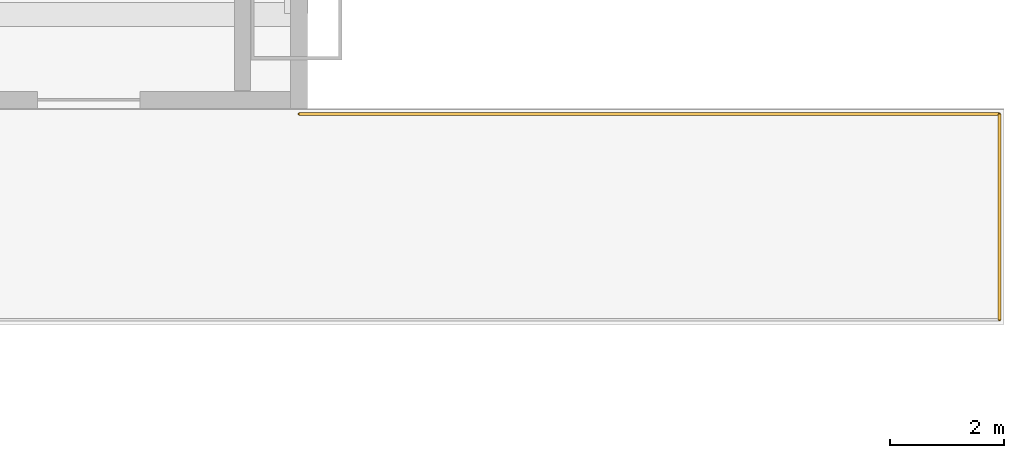
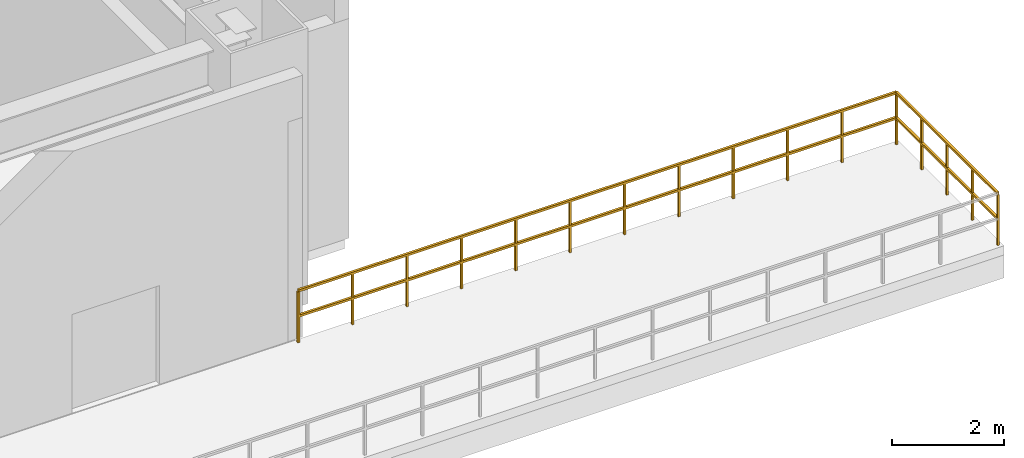
# One storey, part 16 of 17: 2 railings.
"""IFC4 building model written with IfcOpenShell, lengths in metres."""

import ifcopenshell
import ifcopenshell.guid

model = None  # the IFC model being written
_history = None  # IfcOwnerHistory: only IFC2X3 demands one
_inside = {}  # id of a spatial element -> (the spatial element, [elements in it])
_under = {}  # id of a project, library or spatial element -> (it, [spatial elements below it])
_declared = {}  # id of a project -> (the project, [libraries it declares])
_typed = {}  # id of a type object -> (the type object, [elements of that type])
_made_of = {}  # id of a material, layer set ... -> (it, [elements and type objects made of it])


def new_model(schema):
    """Start an empty IFC model of exactly this schema.

    Asked for "IFC4X3", IfcOpenShell would pick the latest addendum, in which some entities
    have other attributes; the version numbers below select the first issue.
    IFC2X3 requires an IfcOwnerHistory on every rooted entity: one is made here for all.
    """
    global model, _history
    if schema == "IFC4X3":
        model = ifcopenshell.file(schema_version=(4, 3, 0, 0))
    else:
        model = ifcopenshell.file(schema=schema)
    _inside.clear()
    _under.clear()
    _declared.clear()
    _typed.clear()
    _made_of.clear()
    _history = None
    if model.schema == "IFC2X3":
        org = make("IfcOrganization", Name="unknown")
        user = make(
            "IfcPersonAndOrganization",
            ThePerson=make("IfcPerson", FamilyName="unknown"),
            TheOrganization=org,
        )
        app = make(
            "IfcApplication",
            ApplicationDeveloper=org,
            Version="unknown",
            ApplicationFullName="unknown",
            ApplicationIdentifier="unknown",
        )
        _history = make(
            "IfcOwnerHistory",
            OwningUser=user,
            OwningApplication=app,
            ChangeAction="ADDED",
            CreationDate=0,
        )
    return model


def make(cls, **values):
    """One entity of the class cls with the attributes given. An attribute that is None is left unset."""
    return model.create_entity(
        cls, **{name: value for name, value in values.items() if value is not None}
    )


def rooted(cls, **values):
    """An entity with a GlobalId (a new one), such as an element, a storey or a relation."""
    return make(cls, GlobalId=ifcopenshell.guid.new(), OwnerHistory=_history, **values)


def si_unit(unit_type, name, prefix=None):
    """IfcSIUnit, for example si_unit("LENGTHUNIT", "METRE", prefix="MILLI")."""
    return make("IfcSIUnit", UnitType=unit_type, Prefix=prefix, Name=name)


def assignment(units):
    """IfcUnitAssignment: the units of a project."""
    return None if units is None else make("IfcUnitAssignment", Units=units)


def point(xyz):
    """IfcCartesianPoint."""
    return None if xyz is None else make("IfcCartesianPoint", Coordinates=xyz)


def direction(xyz):
    """IfcDirection."""
    return None if xyz is None else make("IfcDirection", DirectionRatios=xyz)


def frame(location, z_axis=None, x_axis=None):
    """IfcAxis2Placement3D, a coordinate frame: its origin and axes. An axis left out is left unset."""
    return make(
        "IfcAxis2Placement3D",
        Location=point(location),
        Axis=direction(z_axis),
        RefDirection=direction(x_axis),
    )


def frame_2d(location, x_axis=None):
    """IfcAxis2Placement2D, a coordinate frame in the plane: its origin and x axis."""
    return make(
        "IfcAxis2Placement2D", Location=point(location), RefDirection=direction(x_axis)
    )


def origin():
    """The frame at (0, 0, 0) with its axes left unset."""
    return frame((0.0, 0.0, 0.0))


def origin_2d():
    """The frame at (0, 0) in the plane with its x axis left unset."""
    return frame_2d((0.0, 0.0))


def place(relative_to, where):
    """IfcLocalPlacement: puts the frame where relative to a parent placement (None: the world)."""
    return make(
        "IfcLocalPlacement", PlacementRelTo=relative_to, RelativePlacement=where
    )


def context(
    kind, dimensions, precision=None, world=None, true_north=None, identifier=None
):
    """IfcGeometricRepresentationContext, for example the 3D "Model" context."""
    return make(
        "IfcGeometricRepresentationContext",
        ContextIdentifier=identifier,
        ContextType=kind,
        CoordinateSpaceDimension=dimensions,
        Precision=precision,
        WorldCoordinateSystem=world,
        TrueNorth=true_north,
    )


def subcontext(parent, identifier, kind, view, scale=None):
    """IfcGeometricRepresentationSubContext, for example "Body" below "Model"."""
    return make(
        "IfcGeometricRepresentationSubContext",
        ContextIdentifier=identifier,
        ContextType=kind,
        ParentContext=parent,
        TargetScale=scale,
        TargetView=view,
    )


def project(units=None, contexts=None):
    """IfcProject with its units and contexts."""
    return rooted(
        "IfcProject",
        Name="project",
        RepresentationContexts=contexts,
        UnitsInContext=assignment(units),
    )


def spatial(cls, under=None, at=None, **own):
    """A site, building, storey or space (cls), placed at a placement, below another one or the project."""
    s = rooted(cls, ObjectPlacement=at, **own)
    if under is not None:
        _under.setdefault(under.id(), (under, []))[1].append(s)
    return s


def profile(cls, at=None, kind="AREA", **sizes):
    """A parametric profile (cls). Its sizes go by their IFC names, for example OverallWidth=200.0."""
    return make(cls, ProfileType=kind, Position=at, **sizes)


def rectangle(**sizes):
    """IfcRectangleProfileDef."""
    return profile("IfcRectangleProfileDef", **sizes)


def extrude(swept, where, along, depth):
    """IfcExtrudedAreaSolid: the profile swept, set in the frame where, extruded along a direction by depth."""
    return make(
        "IfcExtrudedAreaSolid",
        SweptArea=swept,
        Position=where,
        ExtrudedDirection=direction(along),
        Depth=depth,
    )


def shape(context_of_items, identifier, shape_type, items):
    """IfcShapeRepresentation: the items that make up one representation, for example the "Body"."""
    return make(
        "IfcShapeRepresentation",
        ContextOfItems=context_of_items,
        RepresentationIdentifier=identifier,
        RepresentationType=shape_type,
        Items=items,
    )


def material(Name=None, Category=None):
    """IfcMaterial."""
    return make("IfcMaterial", Name=Name, Category=Category)


def made_of(thing, what):
    """Note that an element or type object is made of a material, layer set ...; save() writes the relation."""
    if what is not None:
        _made_of.setdefault(what.id(), (what, []))[1].append(thing)
    return thing


def type_object(cls, material=None, **own):
    """A type object (cls), such as IfcWallType, which elements share."""
    return made_of(rooted(cls, **own), material)


def element(
    cls,
    number,
    at=None,
    inside=None,
    cuts=None,
    type_object=None,
    material=None,
    context=None,
    identifier="Body",
    shape_type=None,
    held_by="IfcProductDefinitionShape",
    body=None,
    shapes=None,
    **own,
):
    """One element of the class cls, such as IfcWall. Its Tag is "e" and its number.

    at: its placement. inside: the storey or other place that contains it. cuts: it is an
    opening in that element (IfcRelVoidsElement). A single representation is given by context,
    identifier, shape_type and body (its items); several are given by shapes. held_by: the class
    of the entity that holds the representations. save() writes the other relations.
    """
    e = rooted(cls, Tag="e%d" % number, ObjectPlacement=at, **own)
    if body is not None:
        shapes = [shape(context, identifier, shape_type, body)]
    if shapes is not None:
        e.Representation = make(held_by, Representations=shapes)
    if inside is not None:
        _inside.setdefault(inside.id(), (inside, []))[1].append(e)
    if cuts is not None:
        rooted(
            "IfcRelVoidsElement", RelatingBuildingElement=cuts, RelatedOpeningElement=e
        )
    if type_object is not None:
        _typed.setdefault(type_object.id(), (type_object, []))[1].append(e)
    return made_of(e, material)


def aggregate(whole, parts):
    """IfcRelAggregates: a whole, such as a stair, and the parts it consists of."""
    return rooted("IfcRelAggregates", RelatingObject=whole, RelatedObjects=parts)


def save(model, path):
    """Write the relations noted so far, then the file.

    IfcRelAggregates (storeys below a building ...), IfcRelContainedInSpatialStructure (elements
    in a storey), IfcRelDefinesByType, IfcRelAssociatesMaterial and IfcRelDeclares: one each for
    every whole, place, type object, material and project.
    """
    for whole, parts in _under.values():
        aggregate(whole, parts)
    for where, things in _inside.values():
        rooted(
            "IfcRelContainedInSpatialStructure",
            RelatedElements=things,
            RelatingStructure=where,
        )
    for kind, things in _typed.values():
        rooted("IfcRelDefinesByType", RelatedObjects=things, RelatingType=kind)
    for what, things in _made_of.values():
        rooted("IfcRelAssociatesMaterial", RelatedObjects=things, RelatingMaterial=what)
    for by, libraries in _declared.values():
        rooted("IfcRelDeclares", RelatingContext=by, RelatedDefinitions=libraries)
    model.write(path)


model = new_model("IFC4")

# Units and contexts
model_context = context("Model", 3, precision=1e-05, world=origin(), true_north=direction((0.0, 1.0)))
body_context = subcontext(model_context, "Body", "Model", "MODEL_VIEW")
ifc_project = project(units=[si_unit("LENGTHUNIT", "METRE"), si_unit("AREAUNIT", "SQUARE_METRE"), si_unit("VOLUMEUNIT", "CUBIC_METRE"), si_unit("PLANEANGLEUNIT", "RADIAN"), si_unit("MASSUNIT", "GRAM", prefix="KILO")], contexts=[model_context])

# Site, building, storey
site_placement = place(None, origin())
site = spatial("IfcSite", under=ifc_project, at=site_placement, CompositionType="ELEMENT")
building_placement = place(site_placement, origin())
building = spatial("IfcBuilding", under=site, at=building_placement, Name="Varnel Quay Broadcast Tower", CompositionType="ELEMENT")
storey_placement = place(building_placement, origin())
storey = spatial("IfcBuildingStorey", under=building, at=storey_placement, Name="L00", CompositionType="ELEMENT", Elevation=0.0)

# Railings
ifc_material = material(Name="Anodised Bronze Aluminium 6063-T6", Category="aluminium")
railing_type = type_object("IfcRailingType", Name="Rail_Balustrade1150", PredefinedType="BALUSTRADE", material=ifc_material)
railing_1_placement = place(storey_placement, frame((65.60009765625, -0.10009765625, 0.0)))
element("IfcRailing", 1, at=railing_1_placement, inside=storey, type_object=railing_type, Name="Quay Promenade East Guard Seg 1", PredefinedType="BALUSTRADE", context=body_context, shape_type="SweptSolid", body=[
    extrude(rectangle(XDim=0.048095703125, YDim=0.048095703125, at=origin_2d()), frame((0.0, 0.0, 1.1259765625), z_axis=(1.0, 0.0, 0.0), x_axis=(0.0, 1.0, 0.0)), (0.0, 0.0, 1.0), 12.31982421875),
    extrude(rectangle(XDim=0.048095703125, YDim=0.048095703125, at=origin_2d()), frame((0.0, 0.0, 0.574951171875), z_axis=(1.0, 0.0, 0.0), x_axis=(0.0, 1.0, 0.0)), (0.0, 0.0, 1.0), 12.31982421875),
    extrude(rectangle(XDim=0.0419921875, YDim=0.0419921875, at=origin_2d()), origin(), (0.0, 0.0, 1.0), 1.101806640625),
    extrude(rectangle(XDim=0.0419921875, YDim=0.0419921875, at=origin_2d()), frame((1.119873046875, 0.0, 0.0)), (0.0, 0.0, 1.0), 1.101806640625),
    extrude(rectangle(XDim=0.0419921875, YDim=0.0419921875, at=origin_2d()), frame((2.239990234375, 0.0, 0.0)), (0.0, 0.0, 1.0), 1.101806640625),
    extrude(rectangle(XDim=0.0419921875, YDim=0.0419921875, at=origin_2d()), frame((3.35986328125, 0.0, 0.0)), (0.0, 0.0, 1.0), 1.101806640625),
    extrude(rectangle(XDim=0.0419921875, YDim=0.0419921875, at=origin_2d()), frame((4.47998046875, 0.0, 0.0)), (0.0, 0.0, 1.0), 1.101806640625),
    extrude(rectangle(XDim=0.0419921875, YDim=0.0419921875, at=origin_2d()), frame((5.599853515625, 0.0, 0.0)), (0.0, 0.0, 1.0), 1.101806640625),
    extrude(rectangle(XDim=0.0419921875, YDim=0.0419921875, at=origin_2d()), frame((6.719970703125, 0.0, 0.0)), (0.0, 0.0, 1.0), 1.101806640625),
    extrude(rectangle(XDim=0.0419921875, YDim=0.0419921875, at=origin_2d()), frame((7.83984375, 0.0, 0.0)), (0.0, 0.0, 1.0), 1.101806640625),
    extrude(rectangle(XDim=0.0419921875, YDim=0.0419921875, at=origin_2d()), frame((8.9599609375, 0.0, 0.0)), (0.0, 0.0, 1.0), 1.101806640625),
    extrude(rectangle(XDim=0.0419921875, YDim=0.0419921875, at=origin_2d()), frame((10.079833984375, 0.0, 0.0)), (0.0, 0.0, 1.0), 1.101806640625),
    extrude(rectangle(XDim=0.0419921875, YDim=0.0419921875, at=origin_2d()), frame((11.199951171875, 0.0, 0.0)), (0.0, 0.0, 1.0), 1.101806640625),
    extrude(rectangle(XDim=0.0419921875, YDim=0.0419921875, at=origin_2d()), frame((12.31982421875, 0.0, 0.0)), (0.0, 0.0, 1.0), 1.101806640625),
])
railing_2_placement = place(storey_placement, frame((77.919921875, -0.10009765625, 0.0)))
element("IfcRailing", 2, at=railing_2_placement, inside=storey, type_object=railing_type, Name="Quay Promenade East Guard Seg 2", PredefinedType="BALUSTRADE", context=body_context, shape_type="SweptSolid", body=[
    extrude(rectangle(XDim=0.048095703125, YDim=0.048095703125, at=origin_2d()), frame((0.0, 0.0, 1.1259765625), z_axis=(0.0, -1.0, 0.0), x_axis=(1.0, 0.0, 0.0)), (0.0, 0.0, 1.0), 3.619873046875),
    extrude(rectangle(XDim=0.048095703125, YDim=0.048095703125, at=origin_2d()), frame((0.0, 0.0, 0.574951171875), z_axis=(0.0, -1.0, 0.0), x_axis=(1.0, 0.0, 0.0)), (0.0, 0.0, 1.0), 3.619873046875),
    extrude(rectangle(XDim=0.0419921875, YDim=0.0419921875, at=origin_2d()), origin(), (0.0, 0.0, 1.0), 1.101806640625),
    extrude(rectangle(XDim=0.0419921875, YDim=0.0419921875, at=origin_2d()), frame((0.0, -0.905029296875, 0.0)), (0.0, 0.0, 1.0), 1.101806640625),
    extrude(rectangle(XDim=0.0419921875, YDim=0.0419921875, at=origin_2d()), frame((0.0, -1.81005859375, 0.0)), (0.0, 0.0, 1.0), 1.101806640625),
    extrude(rectangle(XDim=0.0419921875, YDim=0.0419921875, at=origin_2d()), frame((0.0, -2.71484375, 0.0)), (0.0, 0.0, 1.0), 1.101806640625),
    extrude(rectangle(XDim=0.0419921875, YDim=0.0419921875, at=origin_2d()), frame((0.0, -3.619873046875, 0.0)), (0.0, 0.0, 1.0), 1.101806640625),
])

save(model, "model.ifc")
